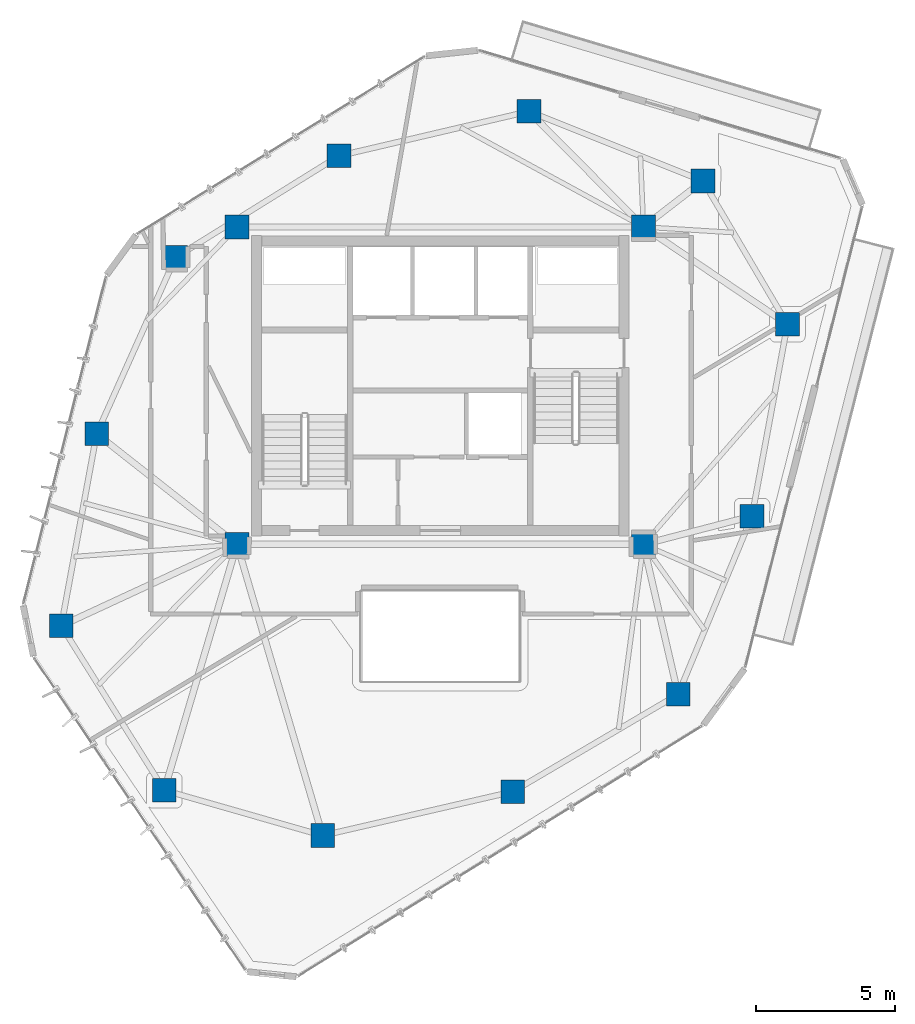
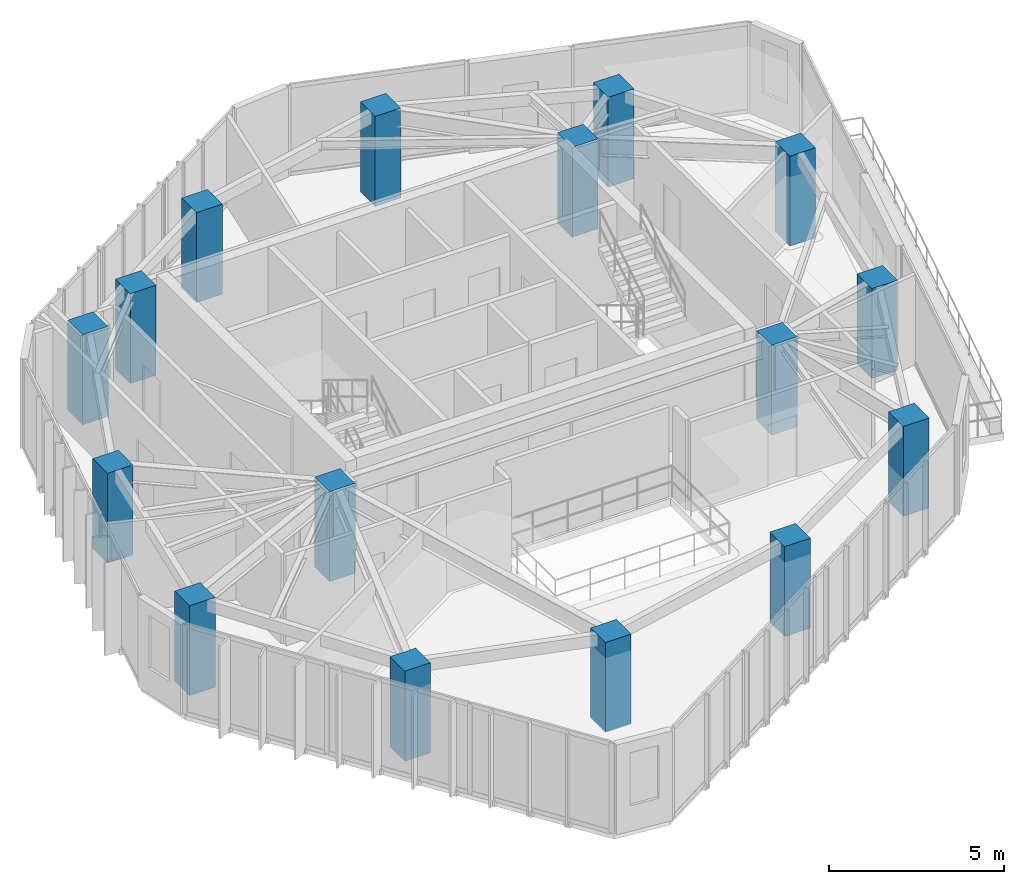
# One storey, part 1 of 20: 16 columns.
"""IFC4 building model written with IfcOpenShell, lengths in metres."""

import ifcopenshell
import ifcopenshell.guid

model = None  # the IFC model being written
_history = None  # IfcOwnerHistory: only IFC2X3 demands one
_inside = {}  # id of a spatial element -> (the spatial element, [elements in it])
_under = {}  # id of a project, library or spatial element -> (it, [spatial elements below it])
_declared = {}  # id of a project -> (the project, [libraries it declares])
_typed = {}  # id of a type object -> (the type object, [elements of that type])
_made_of = {}  # id of a material, layer set ... -> (it, [elements and type objects made of it])


def new_model(schema):
    """Start an empty IFC model of exactly this schema.

    Asked for "IFC4X3", IfcOpenShell would pick the latest addendum, in which some entities
    have other attributes; the version numbers below select the first issue.
    IFC2X3 requires an IfcOwnerHistory on every rooted entity: one is made here for all.
    """
    global model, _history
    if schema == "IFC4X3":
        model = ifcopenshell.file(schema_version=(4, 3, 0, 0))
    else:
        model = ifcopenshell.file(schema=schema)
    _inside.clear()
    _under.clear()
    _declared.clear()
    _typed.clear()
    _made_of.clear()
    _history = None
    if model.schema == "IFC2X3":
        org = make("IfcOrganization", Name="unknown")
        user = make(
            "IfcPersonAndOrganization",
            ThePerson=make("IfcPerson", FamilyName="unknown"),
            TheOrganization=org,
        )
        app = make(
            "IfcApplication",
            ApplicationDeveloper=org,
            Version="unknown",
            ApplicationFullName="unknown",
            ApplicationIdentifier="unknown",
        )
        _history = make(
            "IfcOwnerHistory",
            OwningUser=user,
            OwningApplication=app,
            ChangeAction="ADDED",
            CreationDate=0,
        )
    return model


def make(cls, **values):
    """One entity of the class cls with the attributes given. An attribute that is None is left unset."""
    return model.create_entity(
        cls, **{name: value for name, value in values.items() if value is not None}
    )


def rooted(cls, **values):
    """An entity with a GlobalId (a new one), such as an element, a storey or a relation."""
    return make(cls, GlobalId=ifcopenshell.guid.new(), OwnerHistory=_history, **values)


def si_unit(unit_type, name, prefix=None):
    """IfcSIUnit, for example si_unit("LENGTHUNIT", "METRE", prefix="MILLI")."""
    return make("IfcSIUnit", UnitType=unit_type, Prefix=prefix, Name=name)


def assignment(units):
    """IfcUnitAssignment: the units of a project."""
    return None if units is None else make("IfcUnitAssignment", Units=units)


def point(xyz):
    """IfcCartesianPoint."""
    return None if xyz is None else make("IfcCartesianPoint", Coordinates=xyz)


def direction(xyz):
    """IfcDirection."""
    return None if xyz is None else make("IfcDirection", DirectionRatios=xyz)


def frame(location, z_axis=None, x_axis=None):
    """IfcAxis2Placement3D, a coordinate frame: its origin and axes. An axis left out is left unset."""
    return make(
        "IfcAxis2Placement3D",
        Location=point(location),
        Axis=direction(z_axis),
        RefDirection=direction(x_axis),
    )


def frame_2d(location, x_axis=None):
    """IfcAxis2Placement2D, a coordinate frame in the plane: its origin and x axis."""
    return make(
        "IfcAxis2Placement2D", Location=point(location), RefDirection=direction(x_axis)
    )


def origin():
    """The frame at (0, 0, 0) with its axes left unset."""
    return frame((0.0, 0.0, 0.0))


def origin_2d():
    """The frame at (0, 0) in the plane with its x axis left unset."""
    return frame_2d((0.0, 0.0))


def place(relative_to, where):
    """IfcLocalPlacement: puts the frame where relative to a parent placement (None: the world)."""
    return make(
        "IfcLocalPlacement", PlacementRelTo=relative_to, RelativePlacement=where
    )


def context(
    kind, dimensions, precision=None, world=None, true_north=None, identifier=None
):
    """IfcGeometricRepresentationContext, for example the 3D "Model" context."""
    return make(
        "IfcGeometricRepresentationContext",
        ContextIdentifier=identifier,
        ContextType=kind,
        CoordinateSpaceDimension=dimensions,
        Precision=precision,
        WorldCoordinateSystem=world,
        TrueNorth=true_north,
    )


def subcontext(parent, identifier, kind, view, scale=None):
    """IfcGeometricRepresentationSubContext, for example "Body" below "Model"."""
    return make(
        "IfcGeometricRepresentationSubContext",
        ContextIdentifier=identifier,
        ContextType=kind,
        ParentContext=parent,
        TargetScale=scale,
        TargetView=view,
    )


def project(units=None, contexts=None):
    """IfcProject with its units and contexts."""
    return rooted(
        "IfcProject",
        Name="project",
        RepresentationContexts=contexts,
        UnitsInContext=assignment(units),
    )


def spatial(cls, under=None, at=None, **own):
    """A site, building, storey or space (cls), placed at a placement, below another one or the project."""
    s = rooted(cls, ObjectPlacement=at, **own)
    if under is not None:
        _under.setdefault(under.id(), (under, []))[1].append(s)
    return s


def profile(cls, at=None, kind="AREA", **sizes):
    """A parametric profile (cls). Its sizes go by their IFC names, for example OverallWidth=200.0."""
    return make(cls, ProfileType=kind, Position=at, **sizes)


def rectangle(**sizes):
    """IfcRectangleProfileDef."""
    return profile("IfcRectangleProfileDef", **sizes)


def extrude(swept, where, along, depth):
    """IfcExtrudedAreaSolid: the profile swept, set in the frame where, extruded along a direction by depth."""
    return make(
        "IfcExtrudedAreaSolid",
        SweptArea=swept,
        Position=where,
        ExtrudedDirection=direction(along),
        Depth=depth,
    )


def shape(context_of_items, identifier, shape_type, items):
    """IfcShapeRepresentation: the items that make up one representation, for example the "Body"."""
    return make(
        "IfcShapeRepresentation",
        ContextOfItems=context_of_items,
        RepresentationIdentifier=identifier,
        RepresentationType=shape_type,
        Items=items,
    )


def material(Name=None, Category=None):
    """IfcMaterial."""
    return make("IfcMaterial", Name=Name, Category=Category)


def material_profile(
    of_material, cross_section, Name=None, Category=None, Priority=None
):
    """IfcMaterialProfile: a cross section and its material."""
    return make(
        "IfcMaterialProfile",
        Name=Name,
        Material=of_material,
        Profile=cross_section,
        Priority=Priority,
        Category=Category,
    )


def profile_set(profiles, Name=None, composite=None):
    """IfcMaterialProfileSet."""
    return make(
        "IfcMaterialProfileSet",
        Name=Name,
        MaterialProfiles=profiles,
        CompositeProfile=composite,
    )


def made_of(thing, what):
    """Note that an element or type object is made of a material, layer set ...; save() writes the relation."""
    if what is not None:
        _made_of.setdefault(what.id(), (what, []))[1].append(thing)
    return thing


def type_object(cls, material=None, **own):
    """A type object (cls), such as IfcWallType, which elements share."""
    return made_of(rooted(cls, **own), material)


def element(
    cls,
    number,
    at=None,
    inside=None,
    cuts=None,
    type_object=None,
    material=None,
    context=None,
    identifier="Body",
    shape_type=None,
    held_by="IfcProductDefinitionShape",
    body=None,
    shapes=None,
    **own,
):
    """One element of the class cls, such as IfcWall. Its Tag is "e" and its number.

    at: its placement. inside: the storey or other place that contains it. cuts: it is an
    opening in that element (IfcRelVoidsElement). A single representation is given by context,
    identifier, shape_type and body (its items); several are given by shapes. held_by: the class
    of the entity that holds the representations. save() writes the other relations.
    """
    e = rooted(cls, Tag="e%d" % number, ObjectPlacement=at, **own)
    if body is not None:
        shapes = [shape(context, identifier, shape_type, body)]
    if shapes is not None:
        e.Representation = make(held_by, Representations=shapes)
    if inside is not None:
        _inside.setdefault(inside.id(), (inside, []))[1].append(e)
    if cuts is not None:
        rooted(
            "IfcRelVoidsElement", RelatingBuildingElement=cuts, RelatedOpeningElement=e
        )
    if type_object is not None:
        _typed.setdefault(type_object.id(), (type_object, []))[1].append(e)
    return made_of(e, material)


def aggregate(whole, parts):
    """IfcRelAggregates: a whole, such as a stair, and the parts it consists of."""
    return rooted("IfcRelAggregates", RelatingObject=whole, RelatedObjects=parts)


def save(model, path):
    """Write the relations noted so far, then the file.

    IfcRelAggregates (storeys below a building ...), IfcRelContainedInSpatialStructure (elements
    in a storey), IfcRelDefinesByType, IfcRelAssociatesMaterial and IfcRelDeclares: one each for
    every whole, place, type object, material and project.
    """
    for whole, parts in _under.values():
        aggregate(whole, parts)
    for where, things in _inside.values():
        rooted(
            "IfcRelContainedInSpatialStructure",
            RelatedElements=things,
            RelatingStructure=where,
        )
    for kind, things in _typed.values():
        rooted("IfcRelDefinesByType", RelatedObjects=things, RelatingType=kind)
    for what, things in _made_of.values():
        rooted("IfcRelAssociatesMaterial", RelatedObjects=things, RelatingMaterial=what)
    for by, libraries in _declared.values():
        rooted("IfcRelDeclares", RelatingContext=by, RelatedDefinitions=libraries)
    model.write(path)


model = new_model("IFC4")

# Units and contexts
model_context = context("Model", 3, precision=1e-05, world=origin(), true_north=direction((0.0, 1.0)))
body_context = subcontext(model_context, "Body", "Model", "MODEL_VIEW")
ifc_project = project(units=[si_unit("LENGTHUNIT", "METRE"), si_unit("AREAUNIT", "SQUARE_METRE"), si_unit("VOLUMEUNIT", "CUBIC_METRE"), si_unit("PLANEANGLEUNIT", "RADIAN"), si_unit("MASSUNIT", "GRAM", prefix="KILO")], contexts=[model_context])

# Site, building, storey
site_placement = place(None, origin())
site = spatial("IfcSite", under=ifc_project, at=site_placement, CompositionType="ELEMENT")
building_placement = place(site_placement, origin())
building = spatial("IfcBuilding", under=site, at=building_placement, Name="Talar Marvaseh", CompositionType="ELEMENT")
storey_placement = place(building_placement, frame((0.0, 0.0, 251.0)))
storey = spatial("IfcBuildingStorey", under=building, at=storey_placement, Name="L66", CompositionType="ELEMENT", Elevation=251.0)

# Columns
ifc_material = material(Name="Concrete C50/60", Category="concrete")
ifc_material_profile = material_profile(ifc_material, rectangle(XDim=0.85009765625, YDim=0.85009765625, at=origin_2d()), Name="RC850x850")
ifc_profile_set = profile_set([ifc_material_profile], Name="Concrete C50/60")
column_type = type_object("IfcColumnType", Name="Zone 4 Tube Column RC850x850", PredefinedType="COLUMN", material=ifc_profile_set)
for number, where, z_axis, x_axis, name in (
    (1, (12.388916015625, 22.576904296875, 0.0), (0.0, 0.0, 1.0), (1.0, 0.0, 0.0), "L66 Zone 4 Tube Column RC850x850"),
    (2, (13.657958984375, 29.469970703125, 0.0), (0.0, 0.0, 1.0), (1.0, 0.0, 0.0), "L66 Zone 4 Tube Column RC850x850"),
    (3, (16.493896484375, 35.806884765625, 0.0), (0.0, 0.0, 1.0), (1.0, 0.0, 0.0), "L66 Zone 4 Tube Column RC850x850"),
    (4, (22.364990234375, 39.4541015625, 0.0), (0.0, 0.0, 1.0), (1.0, 0.0, 0.0), "L66 Zone 4 Tube Column RC850x850"),
    (5, (29.18798828125, 41.052001953125, 0.0), (0.0, 0.0, 1.0), (1.0, 0.0, 0.0), "L66 Zone 4 Tube Column RC850x850"),
    (6, (35.43798828125, 38.551025390625, 0.0), (0.0, 0.0, 1.0), (1.0, 0.0, 0.0), "L66 Zone 4 Tube Column RC850x850"),
    (7, (38.470947265625, 33.406005859375, 0.0), (0.0, 0.0, 1.0), (1.0, 0.0, 0.0), "L66 Zone 4 Tube Column RC850x850"),
    (8, (37.197021484375, 26.513916015625, 0.0), (0.0, 0.0, 1.0), (1.0, 0.0, 0.0), "L66 Zone 4 Tube Column RC850x850"),
    (9, (34.5439453125, 20.111083984375, 0.0), (0.0, 0.0, 1.0), (1.0, 0.0, 0.0), "L66 Zone 4 Tube Column RC850x850"),
    (10, (28.60498046875, 16.616943359375, 0.0), (0.0, 0.0, 1.0), (1.0, 0.0, 0.0), "L66 Zone 4 Tube Column RC850x850"),
    (11, (21.77587890625, 15.0400390625, 0.0), (0.0, 0.0, 1.0), (1.0, 0.0, 0.0), "L66 Zone 4 Tube Column RC850x850"),
    (12, (16.0869140625, 16.66796875, 0.0), (0.0, 0.0, 1.0), (1.0, 0.0, 0.0), "L66 Zone 4 Tube Column RC850x850"),
    (13, (18.699951171875, 25.5, 0.0), (0.0, 0.0, 1.0), (1.0, 0.0, 0.0), "L66 Zone 4 Tube Column RC850x850"),
    (14, (33.300048828125, 25.5, 0.0), (0.0, 0.0, 1.0), (1.0, 0.0, 0.0), "L66 Zone 4 Tube Column RC850x850"),
    (15, (33.300048828125, 36.89990234375, 0.0), (0.0, 0.0, 1.0), (1.0, 0.0, 0.0), "L66 Zone 4 Tube Column RC850x850"),
    (16, (18.699951171875, 36.89990234375, 0.0), (0.0, 0.0, 1.0), (1.0, 0.0, 0.0), "L66 Zone 4 Tube Column RC850x850"),
):
    element("IfcColumn", number, at=place(storey_placement, frame(where, z_axis=z_axis, x_axis=x_axis)), inside=storey, type_object=column_type, Name=name, PredefinedType="COLUMN", context=body_context, shape_type="SweptSolid", body=[
        extrude(rectangle(XDim=0.85009765625, YDim=0.85009765625, at=origin_2d()), origin(), (0.0, 0.0, 1.0), 3.139892578125),
    ])

save(model, "model.ifc")
